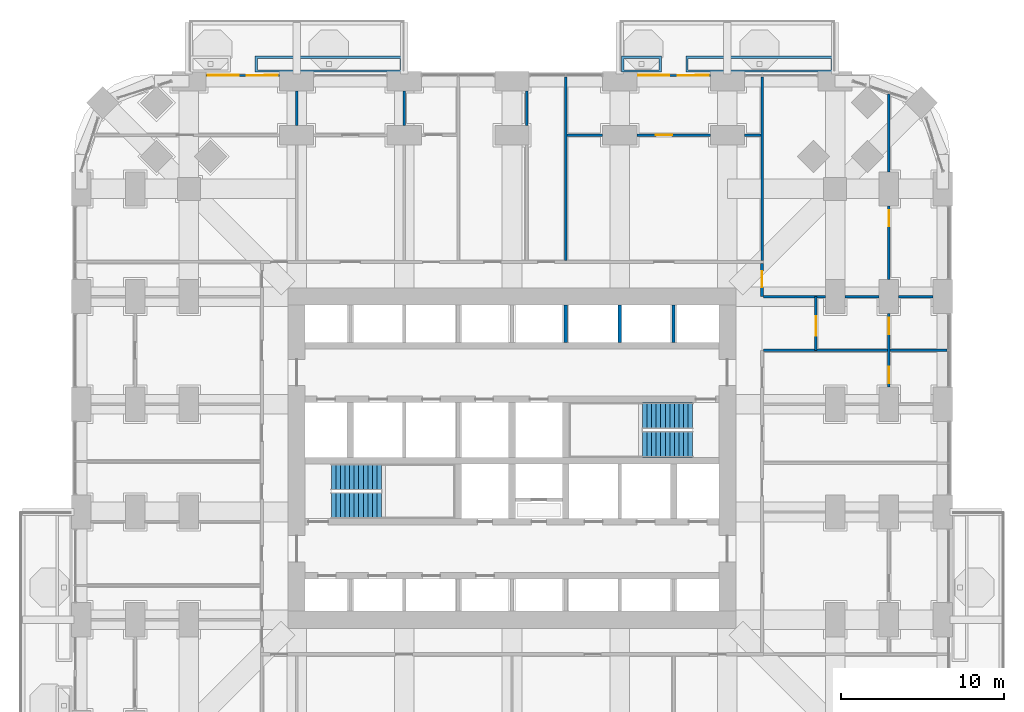
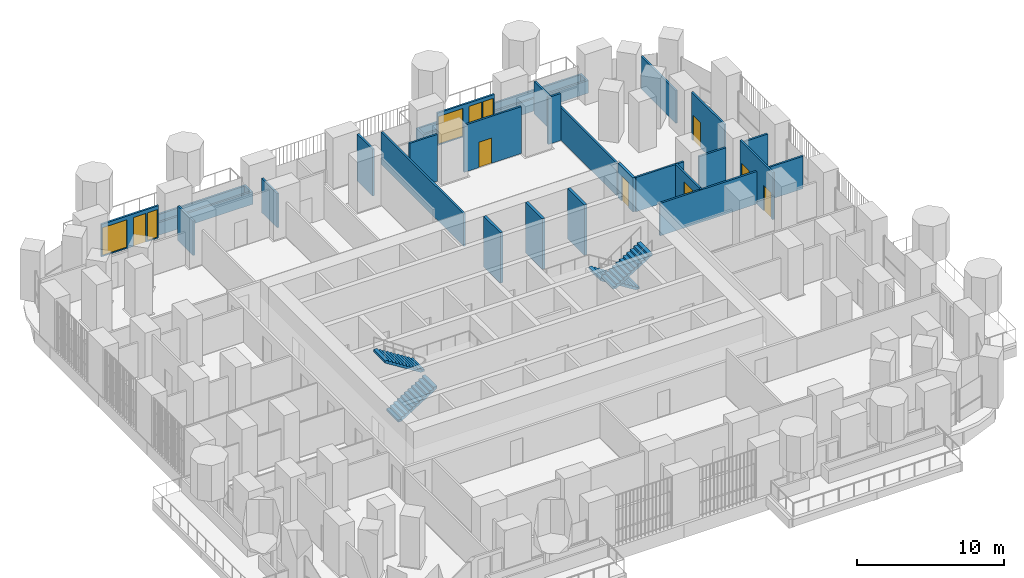
# One storey, part 22 of 27: 25 walls, 8 doors, 4 stair flights, 4 windows, 12 openings, 2 elements without a shape of their own.
"""IFC4 building model written with IfcOpenShell, lengths in metres."""

from ifc_helpers import new_model, si_unit, direction, frame, frame_2d, origin, place, context, subcontext, project, spatial, polyline, rectangle, outline, extrude, material, layer, layer_set, type_object, element, fill, aggregate, save


model = new_model("IFC4")

# Units and contexts
model_context = context("Model", 3, precision=1e-05, world=origin(), true_north=direction((0.0, 1.0)))
body_context = subcontext(model_context, "Body", "Model", "MODEL_VIEW")
ifc_project = project(units=[si_unit("LENGTHUNIT", "METRE"), si_unit("AREAUNIT", "SQUARE_METRE"), si_unit("VOLUMEUNIT", "CUBIC_METRE"), si_unit("PLANEANGLEUNIT", "RADIAN"), si_unit("MASSUNIT", "GRAM", prefix="KILO")], contexts=[model_context])

# Site, building, storey
site_placement = place(None, origin())
site = spatial("IfcSite", under=ifc_project, at=site_placement, CompositionType="ELEMENT")
building_placement = place(site_placement, origin())
building = spatial("IfcBuilding", under=site, at=building_placement, Name="Cobogo Forest Laboratory Tower", CompositionType="ELEMENT")
storey_placement = place(building_placement, frame((0.0, 0.0, 29.699951171875)))
storey = spatial("IfcBuildingStorey", under=building, at=storey_placement, Name="L06", CompositionType="ELEMENT", Elevation=29.699951171875)

# Wall, openings, door, windows
ifc_material_1 = material(Name="Aluminium framed glazed screen", Category="aluminium")
ifc_layer_1 = layer(ifc_material_1, 0.14990234375)
ifc_layer_set_1 = layer_set([ifc_layer_1], Name="GS1 glazed door screen 150")
wall_type_1 = type_object("IfcWallType", Name="GS1 glazed door screen 150", PredefinedType="SOLIDWALL", material=ifc_layer_set_1)
wall_1_placement = place(storey_placement, frame((38.550048828125, 46.550048828125, 0.0), z_axis=(0.0, 0.0, 1.0), x_axis=(-1.0, 0.0, 0.0)))
wall_1 = element("IfcWall", 1, at=wall_1_placement, inside=storey, type_object=wall_type_1, Name="Door screen BAL-N2 L06", PredefinedType="SOLIDWALL", context=body_context, shape_type="SweptSolid", body=[
    extrude(rectangle(XDim=4.5, YDim=0.14990234375, at=frame_2d((2.25, 0.0))), origin(), (0.0, 0.0, 1.0), 2.699951171875),
])
opening_1_placement = place(wall_1_placement, frame((1.0, 0.0, 0.0)))
opening_1 = element("IfcOpeningElement", 2, at=opening_1_placement, cuts=wall_1, Name="Opening L06-D51", PredefinedType="OPENING", context=body_context, shape_type="SweptSolid", body=[
    extrude(rectangle(XDim=1.0, YDim=2.39990234375, at=frame_2d((0.5, 1.199951171875))), frame((0.0, 0.0849609375, 0.0), z_axis=(0.0, -1.0, 0.0), x_axis=(1.0, 0.0, 0.0)), (0.0, 0.0, 1.0), 0.169921875),
])
opening_2_placement = place(wall_1_placement, frame((0.10009765625, 0.0, 0.10009765625)))
opening_2 = element("IfcOpeningElement", 3, at=opening_2_placement, cuts=wall_1, Name="Opening L06-W12", PredefinedType="OPENING", context=body_context, shape_type="SweptSolid", body=[
    extrude(rectangle(XDim=0.800048828125, YDim=2.300048828125, at=frame_2d((0.39990234375, 1.14990234375))), frame((0.0, 0.0849609375, 0.0), z_axis=(0.0, -1.0, 0.0), x_axis=(1.0, 0.0, 0.0)), (0.0, 0.0, 1.0), 0.169921875),
])
opening_3_placement = place(wall_1_placement, frame((2.5, 0.0, 0.10009765625)))
opening_3 = element("IfcOpeningElement", 4, at=opening_3_placement, cuts=wall_1, Name="Opening L06-W11", PredefinedType="OPENING", context=body_context, shape_type="SweptSolid", body=[
    extrude(rectangle(XDim=1.89990234375, YDim=2.300048828125, at=frame_2d((0.949951171875, 1.14990234375))), frame((0.0, 0.0849609375, 0.0), z_axis=(0.0, -1.0, 0.0), x_axis=(1.0, 0.0, 0.0)), (0.0, 0.0, 1.0), 0.169921875),
])
ifc_material_2 = material(Name="Aluminium glazed door", Category="aluminium")
door_type_1 = type_object("IfcDoorType", Name="DB1 balcony door 1000 glazed", OperationType="SINGLE_SWING_LEFT", PredefinedType="DOOR", material=ifc_material_2)
door_1_placement = place(opening_1_placement, origin())
door_1 = element("IfcDoor", 5, at=door_1_placement, inside=storey, type_object=door_type_1, Name="Door L06-BAL-N2", OperationType="SINGLE_SWING_LEFT", OverallHeight=2.39990234375, OverallWidth=1.0, PredefinedType="DOOR", context=body_context, shape_type="SweptSolid", body=[
    extrude(rectangle(XDim=1.0, YDim=2.39990234375, at=frame_2d((0.5, 1.199951171875))), frame((0.0, 0.02490234375, 0.0), z_axis=(0.0, -1.0, 0.0), x_axis=(1.0, 0.0, 0.0)), (0.0, 0.0, 1.0), 0.050048828125),
])
fill(opening_1, door_1)
ifc_material_3 = material(Name="Aluminium framed glazing", Category="aluminium")
window_type_1 = type_object("IfcWindowType", Name="WG3 fixed glazed light 1900x2300", PartitioningType="SINGLE_PANEL", PredefinedType="WINDOW", material=ifc_material_3)
window_1_placement = place(opening_3_placement, origin())
window_1 = element("IfcWindow", 6, at=window_1_placement, inside=storey, type_object=window_type_1, Name="Window L06-BAL-N2-2", OverallHeight=2.300048828125, OverallWidth=1.89990234375, PartitioningType="SINGLE_PANEL", PredefinedType="WINDOW", context=body_context, shape_type="SweptSolid", body=[
    extrude(rectangle(XDim=1.89990234375, YDim=2.300048828125, at=frame_2d((0.949951171875, 1.14990234375))), frame((0.0, 0.030029296875, 0.0), z_axis=(0.0, -1.0, 0.0), x_axis=(1.0, 0.0, 0.0)), (0.0, 0.0, 1.0), 0.06005859375),
])
fill(opening_3, window_1)
window_type_2 = type_object("IfcWindowType", Name="WG4 fixed glazed light 800x2300", PartitioningType="SINGLE_PANEL", PredefinedType="WINDOW", material=ifc_material_3)
window_2_placement = place(opening_2_placement, origin())
window_2 = element("IfcWindow", 7, at=window_2_placement, inside=storey, type_object=window_type_2, Name="Window L06-BAL-N2-1", OverallHeight=2.300048828125, OverallWidth=0.800048828125, PartitioningType="SINGLE_PANEL", PredefinedType="WINDOW", context=body_context, shape_type="SweptSolid", body=[
    extrude(rectangle(XDim=0.800048828125, YDim=2.300048828125, at=frame_2d((0.39990234375, 1.14990234375))), frame((0.0, 0.030029296875, 0.0), z_axis=(0.0, -1.0, 0.0), x_axis=(1.0, 0.0, 0.0)), (0.0, 0.0, 1.0), 0.06005859375),
])
fill(opening_2, window_2)

wall_2_placement = place(storey_placement, frame((12.14990234375, 46.550048828125, 0.0), z_axis=(0.0, 0.0, 1.0), x_axis=(-1.0, 0.0, 0.0)))
wall_2 = element("IfcWall", 8, at=wall_2_placement, inside=storey, type_object=wall_type_1, Name="Door screen BAL-N1 L06", PredefinedType="SOLIDWALL", context=body_context, shape_type="SweptSolid", body=[
    extrude(rectangle(XDim=4.5, YDim=0.14990234375, at=frame_2d((2.25, 0.0))), origin(), (0.0, 0.0, 1.0), 2.699951171875),
])
opening_4_placement = place(wall_2_placement, frame((1.0, 0.0, 0.0)))
opening_4 = element("IfcOpeningElement", 9, at=opening_4_placement, cuts=wall_2, Name="Opening L06-D50", PredefinedType="OPENING", context=body_context, shape_type="SweptSolid", body=[
    extrude(rectangle(XDim=1.0, YDim=2.39990234375, at=frame_2d((0.5, 1.199951171875))), frame((0.0, 0.0849609375, 0.0), z_axis=(0.0, -1.0, 0.0), x_axis=(1.0, 0.0, 0.0)), (0.0, 0.0, 1.0), 0.169921875),
])
opening_5_placement = place(wall_2_placement, frame((0.10009765625, 0.0, 0.10009765625)))
opening_5 = element("IfcOpeningElement", 10, at=opening_5_placement, cuts=wall_2, Name="Opening L06-W10", PredefinedType="OPENING", context=body_context, shape_type="SweptSolid", body=[
    extrude(rectangle(XDim=0.800048828125, YDim=2.300048828125, at=frame_2d((0.39990234375, 1.14990234375))), frame((0.0, 0.0849609375, 0.0), z_axis=(0.0, -1.0, 0.0), x_axis=(1.0, 0.0, 0.0)), (0.0, 0.0, 1.0), 0.169921875),
])
opening_6_placement = place(wall_2_placement, frame((2.5, 0.0, 0.10009765625)))
opening_6 = element("IfcOpeningElement", 11, at=opening_6_placement, cuts=wall_2, Name="Opening L06-W09", PredefinedType="OPENING", context=body_context, shape_type="SweptSolid", body=[
    extrude(rectangle(XDim=1.89990234375, YDim=2.300048828125, at=frame_2d((0.949951171875, 1.14990234375))), frame((0.0, 0.0849609375, 0.0), z_axis=(0.0, -1.0, 0.0), x_axis=(1.0, 0.0, 0.0)), (0.0, 0.0, 1.0), 0.169921875),
])
door_2_placement = place(opening_4_placement, origin())
door_2 = element("IfcDoor", 12, at=door_2_placement, inside=storey, type_object=door_type_1, Name="Door L06-BAL-N1", OperationType="SINGLE_SWING_LEFT", OverallHeight=2.39990234375, OverallWidth=1.0, PredefinedType="DOOR", context=body_context, shape_type="SweptSolid", body=[
    extrude(rectangle(XDim=1.0, YDim=2.39990234375, at=frame_2d((0.5, 1.199951171875))), frame((0.0, 0.02490234375, 0.0), z_axis=(0.0, -1.0, 0.0), x_axis=(1.0, 0.0, 0.0)), (0.0, 0.0, 1.0), 0.050048828125),
])
fill(opening_4, door_2)
window_3_placement = place(opening_6_placement, origin())
window_3 = element("IfcWindow", 13, at=window_3_placement, inside=storey, type_object=window_type_1, Name="Window L06-BAL-N1-2", OverallHeight=2.300048828125, OverallWidth=1.89990234375, PartitioningType="SINGLE_PANEL", PredefinedType="WINDOW", context=body_context, shape_type="SweptSolid", body=[
    extrude(rectangle(XDim=1.89990234375, YDim=2.300048828125, at=frame_2d((0.949951171875, 1.14990234375))), frame((0.0, 0.030029296875, 0.0), z_axis=(0.0, -1.0, 0.0), x_axis=(1.0, 0.0, 0.0)), (0.0, 0.0, 1.0), 0.06005859375),
])
fill(opening_6, window_3)
window_4_placement = place(opening_5_placement, origin())
window_4 = element("IfcWindow", 14, at=window_4_placement, inside=storey, type_object=window_type_2, Name="Window L06-BAL-N1-1", OverallHeight=2.300048828125, OverallWidth=0.800048828125, PartitioningType="SINGLE_PANEL", PredefinedType="WINDOW", context=body_context, shape_type="SweptSolid", body=[
    extrude(rectangle(XDim=0.800048828125, YDim=2.300048828125, at=frame_2d((0.39990234375, 1.14990234375))), frame((0.0, 0.030029296875, 0.0), z_axis=(0.0, -1.0, 0.0), x_axis=(1.0, 0.0, 0.0)), (0.0, 0.0, 1.0), 0.06005859375),
])
fill(opening_5, window_4)

# Wall
ifc_material_4 = material(Name="Gypsum board on steel studs", Category="steel")
ifc_layer_2 = layer(ifc_material_4, 0.14990234375)
ifc_layer_set_2 = layer_set([ifc_layer_2], Name="PT1 laboratory partition 150")
wall_type_2 = type_object("IfcWallType", Name="PT1 laboratory partition 150", PredefinedType="PARTITIONING", material=ifc_layer_set_2)
wall_3_placement = place(storey_placement, frame((41.72509765625, 46.469970703125, 0.0), z_axis=(0.0, 0.0, 1.0), x_axis=(0.0, -1.0, 0.0)))
element("IfcWall", 15, at=wall_3_placement, inside=storey, type_object=wall_type_2, Name="Partition PW-NE L06", PredefinedType="PARTITIONING", context=body_context, shape_type="SweptSolid", body=[
    extrude(rectangle(XDim=11.244873046875, YDim=0.14990234375, at=frame_2d((5.62255859375, 0.0))), origin(), (0.0, 0.0, 1.0), 2.699951171875),
])

# Wall, openings, doors
wall_4_placement = place(storey_placement, frame((49.5, 27.449951171875, 0.0), z_axis=(0.0, 0.0, 1.0), x_axis=(0.0, 1.0, 0.0)))
wall_4 = element("IfcWall", 16, at=wall_4_placement, inside=storey, type_object=wall_type_2, Name="Partition STRIP-E-3 L06", PredefinedType="PARTITIONING", context=body_context, shape_type="SweptSolid", body=[
    extrude(rectangle(XDim=4.5, YDim=0.14990234375, at=frame_2d((2.25, 0.0))), origin(), (0.0, 0.0, 1.0), 3.900146484375),
])
opening_7_placement = place(wall_4_placement, frame((0.25, 0.0, 0.0)))
opening_7 = element("IfcOpeningElement", 17, at=opening_7_placement, cuts=wall_4, Name="Opening L06-D30", PredefinedType="OPENING", context=body_context, shape_type="SweptSolid", body=[
    extrude(rectangle(XDim=1.0, YDim=2.10009765625, at=frame_2d((0.5, 1.050048828125))), frame((0.0, 0.0849609375, 0.0), z_axis=(0.0, -1.0, 0.0), x_axis=(1.0, 0.0, 0.0)), (0.0, 0.0, 1.0), 0.169921875),
])
opening_8_placement = place(wall_4_placement, frame((3.25, 0.0, 0.0)))
opening_8 = element("IfcOpeningElement", 18, at=opening_8_placement, cuts=wall_4, Name="Opening L06-D36", PredefinedType="OPENING", context=body_context, shape_type="SweptSolid", body=[
    extrude(rectangle(XDim=1.0, YDim=2.10009765625, at=frame_2d((0.5, 1.050048828125))), frame((0.0, 0.0849609375, 0.0), z_axis=(0.0, -1.0, 0.0), x_axis=(1.0, 0.0, 0.0)), (0.0, 0.0, 1.0), 0.169921875),
])
ifc_material_5 = material(Name="Timber fire door", Category="wood")
door_type_2 = type_object("IfcDoorType", Name="FD2 fire door 1000 EI2 30", OperationType="SINGLE_SWING_LEFT", PredefinedType="DOOR", material=ifc_material_5)
door_3_placement = place(opening_7_placement, origin())
door_3 = element("IfcDoor", 19, at=door_3_placement, inside=storey, type_object=door_type_2, Name="Door L06-E2W", OperationType="SINGLE_SWING_LEFT", OverallHeight=2.10009765625, OverallWidth=1.0, PredefinedType="DOOR", context=body_context, shape_type="SweptSolid", body=[
    extrude(rectangle(XDim=1.0, YDim=2.10009765625, at=frame_2d((0.5, 1.050048828125))), frame((0.0, 0.02490234375, 0.0), z_axis=(0.0, -1.0, 0.0), x_axis=(1.0, 0.0, 0.0)), (0.0, 0.0, 1.0), 0.050048828125),
])
fill(opening_7, door_3)
door_4_placement = place(opening_8_placement, origin())
door_4 = element("IfcDoor", 20, at=door_4_placement, inside=storey, type_object=door_type_2, Name="Door L06-E3W", OperationType="SINGLE_SWING_RIGHT", OverallHeight=2.10009765625, OverallWidth=1.0, PredefinedType="DOOR", context=body_context, shape_type="SweptSolid", body=[
    extrude(rectangle(XDim=1.0, YDim=2.10009765625, at=frame_2d((0.5, 1.050048828125))), frame((0.0, 0.02490234375, 0.0), z_axis=(0.0, -1.0, 0.0), x_axis=(1.0, 0.0, 0.0)), (0.0, 0.0, 1.0), 0.050048828125),
])
fill(opening_8, door_4)

# Wall, opening, door
wall_5_placement = place(storey_placement, frame((49.5, 34.050048828125, 0.0), z_axis=(0.0, 0.0, 1.0), x_axis=(0.0, 1.0, 0.0)))
wall_5 = element("IfcWall", 21, at=wall_5_placement, inside=storey, type_object=wall_type_2, Name="Partition STRIP-E-4 L06", PredefinedType="PARTITIONING", context=body_context, shape_type="SweptSolid", body=[
    extrude(rectangle(XDim=4.5, YDim=0.14990234375, at=frame_2d((2.25, 0.0))), origin(), (0.0, 0.0, 1.0), 3.900146484375),
])
opening_9_placement = place(wall_5_placement, frame((3.25, 0.0, 0.0)))
opening_9 = element("IfcOpeningElement", 22, at=opening_9_placement, cuts=wall_5, Name="Opening L06-D45", PredefinedType="OPENING", context=body_context, shape_type="SweptSolid", body=[
    extrude(rectangle(XDim=1.0, YDim=2.10009765625, at=frame_2d((0.5, 1.050048828125))), frame((0.0, 0.0849609375, 0.0), z_axis=(0.0, -1.0, 0.0), x_axis=(1.0, 0.0, 0.0)), (0.0, 0.0, 1.0), 0.169921875),
])
door_5_placement = place(opening_9_placement, origin())
door_5 = element("IfcDoor", 23, at=door_5_placement, inside=storey, type_object=door_type_2, Name="Door L06-E4W", OperationType="SINGLE_SWING_RIGHT", OverallHeight=2.10009765625, OverallWidth=1.0, PredefinedType="DOOR", context=body_context, shape_type="SweptSolid", body=[
    extrude(rectangle(XDim=1.0, YDim=2.10009765625, at=frame_2d((0.5, 1.050048828125))), frame((0.0, 0.02490234375, 0.0), z_axis=(0.0, -1.0, 0.0), x_axis=(1.0, 0.0, 0.0)), (0.0, 0.0, 1.0), 0.050048828125),
])
fill(opening_9, door_5)

# Wall
wall_6_placement = place(storey_placement, frame((49.5, 40.64990234375, 0.0), z_axis=(0.0, 0.0, 1.0), x_axis=(0.0, 1.0, 0.0)))
element("IfcWall", 24, at=wall_6_placement, inside=storey, type_object=wall_type_2, Name="Partition STRIP-E-5 L06", PredefinedType="PARTITIONING", context=body_context, shape_type="SweptSolid", body=[
    extrude(rectangle(XDim=4.774169921875, YDim=0.14990234375, at=frame_2d((2.38720703125, 0.0))), origin(), (0.0, 0.0, 1.0), 2.699951171875),
])

# Wall, opening, door
wall_7_placement = place(storey_placement, frame((45.02490234375, 29.699951171875, 0.0), z_axis=(0.0, 0.0, 1.0), x_axis=(0.0, 1.0, 0.0)))
wall_7 = element("IfcWall", 25, at=wall_7_placement, inside=storey, type_object=wall_type_2, Name="Partition NODE-E-1 L06", PredefinedType="PARTITIONING", context=body_context, shape_type="SweptSolid", body=[
    extrude(rectangle(XDim=3.300048828125, YDim=0.14990234375, at=frame_2d((1.64990234375, 0.0))), origin(), (0.0, 0.0, 1.0), 2.85009765625),
])
opening_10_placement = place(wall_7_placement, frame((0.89990234375, 0.0, 0.0)))
opening_10 = element("IfcOpeningElement", 26, at=opening_10_placement, cuts=wall_7, Name="Opening L06-D35", PredefinedType="OPENING", context=body_context, shape_type="SweptSolid", body=[
    extrude(rectangle(XDim=1.199951171875, YDim=2.10009765625, at=frame_2d((0.60009765625, 1.050048828125))), frame((0.0, 0.0849609375, 0.0), z_axis=(0.0, -1.0, 0.0), x_axis=(1.0, 0.0, 0.0)), (0.0, 0.0, 1.0), 0.169921875),
])
ifc_material_6 = material(Name="Timber door", Category="wood")
door_type_3 = type_object("IfcDoorType", Name="D2 laboratory door 1200 unequal pair", OperationType="DOUBLE_DOOR_SINGLE_SWING", PredefinedType="DOOR", material=ifc_material_6)
door_6_placement = place(opening_10_placement, origin())
door_6 = element("IfcDoor", 27, at=door_6_placement, inside=storey, type_object=door_type_3, Name="Door L06-E3", OperationType="DOUBLE_DOOR_SINGLE_SWING", OverallHeight=2.10009765625, OverallWidth=1.199951171875, PredefinedType="DOOR", context=body_context, shape_type="SweptSolid", body=[
    extrude(rectangle(XDim=1.199951171875, YDim=2.10009765625, at=frame_2d((0.60009765625, 1.050048828125))), frame((0.0, 0.02490234375, 0.0), z_axis=(0.0, -1.0, 0.0), x_axis=(1.0, 0.0, 0.0)), (0.0, 0.0, 1.0), 0.050048828125),
])
fill(opening_10, door_6)

# Walls
wall_8_placement = place(storey_placement, frame((53.070068359375, 29.699951171875, 0.0), z_axis=(0.0, 0.0, 1.0), x_axis=(-1.0, 0.0, 0.0)))
element("IfcWall", 28, at=wall_8_placement, inside=storey, type_object=wall_type_2, Name="Partition CUT-E29.7-1 L06", PredefinedType="PARTITIONING", context=body_context, shape_type="SweptSolid", body=[
    extrude(rectangle(XDim=11.2451171875, YDim=0.14990234375, at=frame_2d((5.62255859375, 0.0))), origin(), (0.0, 0.0, 1.0), 2.699951171875),
])
for number, where, z_axis, x_axis, name in (
    (29, (52.199951171875, 33.0, 0.0), (0.0, 0.0, 1.0), (-1.0, 0.0, 0.0), "Partition CUT-E33a-1 L06"),
    (30, (48.89990234375, 33.0, 0.0), (0.0, 0.0, 1.0), (-1.0, 0.0, 0.0), "Partition CUT-E33b-1 L06"),
):
    element("IfcWall", number, at=place(storey_placement, frame(where, z_axis=z_axis, x_axis=x_axis)), inside=storey, type_object=wall_type_2, Name=name, PredefinedType="PARTITIONING", context=body_context, shape_type="SweptSolid", body=[
        extrude(rectangle(XDim=2.099853515625, YDim=0.14990234375, at=frame_2d((1.0498046875, 0.0))), origin(), (0.0, 0.0, 1.0), 2.85009765625),
    ])
wall_9_placement = place(storey_placement, frame((45.60009765625, 33.0, 0.0), z_axis=(0.0, 0.0, 1.0), x_axis=(-1.0, 0.0, 0.0)))
element("IfcWall", 31, at=wall_9_placement, inside=storey, type_object=wall_type_2, Name="Partition CUT-E33b-2 L06", PredefinedType="PARTITIONING", context=body_context, shape_type="SweptSolid", body=[
    extrude(rectangle(XDim=3.775146484375, YDim=0.14990234375, at=frame_2d((1.8876953125, 0.0))), origin(), (0.0, 0.0, 1.0), 2.85009765625),
])
wall_10_placement = place(storey_placement, frame((41.64990234375, 42.89990234375, 0.0), z_axis=(0.0, 0.0, 1.0), x_axis=(-1.0, 0.0, 0.0)))
element("IfcWall", 32, at=wall_10_placement, inside=storey, type_object=wall_type_2, Name="Partition STRIP-N-1 L06", PredefinedType="PARTITIONING", context=body_context, shape_type="SweptSolid", body=[
    extrude(rectangle(XDim=1.0, YDim=0.14990234375, at=frame_2d((0.5, 0.0))), origin(), (0.0, 0.0, 1.0), 3.900146484375),
])

# Wall, opening, door
wall_11_placement = place(storey_placement, frame((38.550048828125, 42.89990234375, 0.0), z_axis=(0.0, 0.0, 1.0), x_axis=(-1.0, 0.0, 0.0)))
wall_11 = element("IfcWall", 33, at=wall_11_placement, inside=storey, type_object=wall_type_2, Name="Partition STRIP-N-2 L06", PredefinedType="PARTITIONING", context=body_context, shape_type="SweptSolid", body=[
    extrude(rectangle(XDim=4.5, YDim=0.14990234375, at=frame_2d((2.25, 0.0))), origin(), (0.0, 0.0, 1.0), 3.900146484375),
])
opening_11_placement = place(wall_11_placement, frame((2.33740234375, 0.0, 0.0)))
opening_11 = element("IfcOpeningElement", 34, at=opening_11_placement, cuts=wall_11, Name="Opening L06-D49", PredefinedType="OPENING", context=body_context, shape_type="SweptSolid", body=[
    extrude(rectangle(XDim=1.0, YDim=2.10009765625, at=frame_2d((0.5, 1.050048828125))), frame((0.0, 0.0849609375, 0.0), z_axis=(0.0, -1.0, 0.0), x_axis=(1.0, 0.0, 0.0)), (0.0, 0.0, 1.0), 0.169921875),
])
door_7_placement = place(opening_11_placement, origin())
door_7 = element("IfcDoor", 35, at=door_7_placement, inside=storey, type_object=door_type_2, Name="Door L06-N5W", OperationType="SINGLE_SWING_RIGHT", OverallHeight=2.10009765625, OverallWidth=1.0, PredefinedType="DOOR", context=body_context, shape_type="SweptSolid", body=[
    extrude(rectangle(XDim=1.0, YDim=2.10009765625, at=frame_2d((0.5, 1.050048828125))), frame((0.0, 0.02490234375, 0.0), z_axis=(0.0, -1.0, 0.0), x_axis=(1.0, 0.0, 0.0)), (0.0, 0.0, 1.0), 0.050048828125),
])
fill(opening_11, door_7)

# Walls
wall_12_placement = place(storey_placement, frame((31.949951171875, 42.89990234375, 0.0), z_axis=(0.0, 0.0, 1.0), x_axis=(-1.0, 0.0, 0.0)))
element("IfcWall", 36, at=wall_12_placement, inside=storey, type_object=wall_type_2, Name="Partition STRIP-N-3 L06", PredefinedType="PARTITIONING", context=body_context, shape_type="SweptSolid", body=[
    extrude(rectangle(XDim=2.175048828125, YDim=0.14990234375, at=frame_2d((1.08740234375, 0.0))), origin(), (0.0, 0.0, 1.0), 3.900146484375),
])
wall_13_placement = place(storey_placement, frame((27.300048828125, 45.60009765625, 0.0), z_axis=(0.0, 0.0, 1.0), x_axis=(0.0, -1.0, 0.0)))
element("IfcWall", 37, at=wall_13_placement, inside=storey, type_object=wall_type_2, Name="Partition SVC-N1-1 L06", PredefinedType="PARTITIONING", context=body_context, shape_type="SweptSolid", body=[
    extrude(rectangle(XDim=2.10009765625, YDim=0.14990234375, at=frame_2d((1.050048828125, 0.0))), origin(), (0.0, 0.0, 1.0), 3.900146484375),
])
for number, where, z_axis, x_axis, name in (
    (38, (13.199951171875, 45.60009765625, 0.0), (0.0, 0.0, 1.0), (0.0, -1.0, 0.0), "Partition CUT-N13.2a-1 L06"),
    (39, (19.800048828125, 45.60009765625, 0.0), (0.0, 0.0, 1.0), (0.0, -1.0, 0.0), "Partition CUT-N19.8a-1 L06"),
):
    element("IfcWall", number, at=place(storey_placement, frame(where, z_axis=z_axis, x_axis=x_axis)), inside=storey, type_object=wall_type_2, Name=name, PredefinedType="PARTITIONING", context=body_context, shape_type="SweptSolid", body=[
        extrude(rectangle(XDim=2.10009765625, YDim=0.14990234375, at=frame_2d((1.050048828125, 0.0))), origin(), (0.0, 0.0, 1.0), 2.85009765625),
    ])
wall_14_placement = place(storey_placement, frame((29.699951171875, 46.469970703125, 0.0), z_axis=(0.0, 0.0, 1.0), x_axis=(0.0, -1.0, 0.0)))
element("IfcWall", 40, at=wall_14_placement, inside=storey, type_object=wall_type_2, Name="Partition CUT-N29.7-1 L06", PredefinedType="PARTITIONING", context=body_context, shape_type="SweptSolid", body=[
    extrude(rectangle(XDim=11.244873046875, YDim=0.14990234375, at=frame_2d((5.62255859375, 0.0))), origin(), (0.0, 0.0, 1.0), 2.699951171875),
])

# Wall, opening, door
ifc_layer_3 = layer(ifc_material_4, 0.199951171875)
ifc_layer_set_3 = layer_set([ifc_layer_3], Name="PT2 fire-rated corridor partition 200")
wall_type_3 = type_object("IfcWallType", Name="PT2 fire-rated corridor partition 200", PredefinedType="PARTITIONING", material=ifc_layer_set_3)
wall_15_placement = place(storey_placement, frame((41.72509765625, 33.0, 0.0), z_axis=(0.0, 0.0, 1.0), x_axis=(0.0, 1.0, 0.0)))
wall_15 = element("IfcWall", 41, at=wall_15_placement, inside=storey, type_object=wall_type_3, Name="Partition CORR-E-2 L06", PredefinedType="PARTITIONING", context=body_context, shape_type="SweptSolid", body=[
    extrude(rectangle(XDim=2.02490234375, YDim=0.199951171875, at=frame_2d((1.012451171875, 0.0))), origin(), (0.0, 0.0, 1.0), 2.85009765625),
])
opening_12_placement = place(wall_15_placement, frame((0.5625, 0.0, 0.0)))
opening_12 = element("IfcOpeningElement", 42, at=opening_12_placement, cuts=wall_15, Name="Opening L06-D38", PredefinedType="OPENING", context=body_context, shape_type="SweptSolid", body=[
    extrude(rectangle(XDim=1.0, YDim=2.10009765625, at=frame_2d((0.5, 1.050048828125))), frame((0.0, 0.10986328125, 0.0), z_axis=(0.0, -1.0, 0.0), x_axis=(1.0, 0.0, 0.0)), (0.0, 0.0, 1.0), 0.219970703125),
])
ifc_material_7 = material(Name="Steel fire door", Category="steel")
door_type_4 = type_object("IfcDoorType", Name="FD1 fire door 1000 EI2 60", OperationType="SINGLE_SWING_LEFT", PredefinedType="DOOR", material=ifc_material_7)
door_8_placement = place(opening_12_placement, origin())
door_8 = element("IfcDoor", 43, at=door_8_placement, inside=storey, type_object=door_type_4, Name="Door L06-E4", OperationType="SINGLE_SWING_RIGHT", OverallHeight=2.10009765625, OverallWidth=1.0, PredefinedType="DOOR", context=body_context, shape_type="SweptSolid", body=[
    extrude(rectangle(XDim=1.0, YDim=2.10009765625, at=frame_2d((0.5, 1.050048828125))), frame((0.0, 0.02490234375, 0.0), z_axis=(0.0, -1.0, 0.0), x_axis=(1.0, 0.0, 0.0)), (0.0, 0.0, 1.0), 0.050048828125),
])
fill(opening_12, door_8)

# Walls
ifc_material_8 = material(Name="Concrete HA-40 (C40/50)", Category="concrete")
ifc_layer_4 = layer(ifc_material_8, 0.14990234375)
ifc_layer_set_4 = layer_set([ifc_layer_4], Name="Planter box 1000x1050")
wall_type_4 = type_object("IfcWallType", Name="Planter box 1000x1050", PredefinedType="USERDEFINED", material=ifc_layer_set_4)
wall_16_placement = place(storey_placement, origin())
element("IfcWall", 44, at=wall_16_placement, inside=storey, type_object=wall_type_4, Name="Planter BAL-N1-2 L06", ObjectType="PLANTER", PredefinedType="USERDEFINED", context=body_context, shape_type="SweptSolid", body=[
    extrude(outline(polyline([(10.64990234375, 46.75), (19.699951171875, 46.75), (19.699951171875, 47.75), (10.64990234375, 47.75), (10.64990234375, 46.75)]), holes=[polyline([(10.800048828125, 46.89990234375), (19.550048828125, 46.89990234375), (19.550048828125, 47.60009765625), (10.800048828125, 47.60009765625), (10.800048828125, 46.89990234375)])]), origin(), (0.0, 0.0, 1.0), 1.050048828125),
])
wall_17_placement = place(storey_placement, origin())
element("IfcWall", 45, at=wall_17_placement, inside=storey, type_object=wall_type_4, Name="Planter BAL-N2-1 L06", ObjectType="PLANTER", PredefinedType="USERDEFINED", context=body_context, shape_type="SweptSolid", body=[
    extrude(outline(polyline([(33.10009765625, 46.75), (35.550048828125, 46.75), (35.550048828125, 47.75), (33.10009765625, 47.75), (33.10009765625, 46.75)]), holes=[polyline([(33.25, 46.89990234375), (35.39990234375, 46.89990234375), (35.39990234375, 47.60009765625), (33.25, 47.60009765625), (33.25, 46.89990234375)])]), origin(), (0.0, 0.0, 1.0), 1.050048828125),
])
wall_18_placement = place(storey_placement, origin())
element("IfcWall", 46, at=wall_18_placement, inside=storey, type_object=wall_type_4, Name="Planter BAL-N2-2 L06", ObjectType="PLANTER", PredefinedType="USERDEFINED", context=body_context, shape_type="SweptSolid", body=[
    extrude(outline(polyline([(37.050048828125, 46.75), (46.10009765625, 46.75), (46.10009765625, 47.75), (37.050048828125, 47.75), (37.050048828125, 46.75)]), holes=[polyline([(37.199951171875, 46.89990234375), (45.949951171875, 46.89990234375), (45.949951171875, 47.60009765625), (37.199951171875, 47.60009765625), (37.199951171875, 46.89990234375)])]), origin(), (0.0, 0.0, 1.0), 1.050048828125),
])
ifc_material_9 = material(Name="Concrete block", Category="concrete")
ifc_layer_5 = layer(ifc_material_9, 0.199951171875)
ifc_layer_set_5 = layer_set([ifc_layer_5], Name="SW200 lift shaft separator 200")
wall_type_5 = type_object("IfcWallType", Name="SW200 lift shaft separator 200", PredefinedType="PARTITIONING", material=ifc_layer_set_5)
for number, where, z_axis, x_axis, name in (
    (47, (29.699951171875, 30.199951171875, 0.0), (0.0, 0.0, 1.0), (0.0, 1.0, 0.0), "Core wall SEP-N5 L06"),
    (48, (33.0, 30.199951171875, 0.0), (0.0, 0.0, 1.0), (0.0, 1.0, 0.0), "Core wall SEP-N6 L06"),
    (49, (36.300048828125, 30.199951171875, 0.0), (0.0, 0.0, 1.0), (0.0, 1.0, 0.0), "Core wall SEP-N7 L06"),
):
    element("IfcWall", number, at=place(storey_placement, frame(where, z_axis=z_axis, x_axis=x_axis)), inside=storey, type_object=wall_type_5, Name=name, PredefinedType="PARTITIONING", context=body_context, shape_type="SweptSolid", body=[
        extrude(rectangle(XDim=2.275146484375, YDim=0.199951171875, at=frame_2d((1.1376953125, 0.0))), origin(), (0.0, 0.0, 1.0), 4.199951171875),
    ])

# Stair, stair flights
ifc_material_10 = material(Name="Precast concrete HA-40 (C40/50)", Category="concrete")
stair_type = type_object("IfcStairType", Name="ST24 exit stair 24 risers", PredefinedType="HALF_TURN_STAIR", material=ifc_material_10)
stair_1_placement = place(storey_placement, origin())
stair_1 = element("IfcStair", 50, at=stair_1_placement, inside=storey, type_object=stair_type, Name="Stair 1 L06 to L07", PredefinedType="HALF_TURN_STAIR")
stair_flight_type = type_object("IfcStairFlightType", Name="ST stair flight 280 going", PredefinedType="STRAIGHT", material=ifc_material_10)
stair_flight_1_placement = place(storey_placement, frame((15.324951171875, 20.199951171875, 0.0), z_axis=(0.0, 0.0, 1.0), x_axis=(1.0, 0.0, 0.0)))
stair_flight_1 = element("IfcStairFlight", 51, at=stair_flight_1_placement, type_object=stair_flight_type, Name="ST1 flight 1", NumberOfRisers=12, NumberOfTreads=11, PredefinedType="STRAIGHT", RiserHeight=0.175, TreadLength=0.28, context=body_context, shape_type="SweptSolid", body=[
    extrude(outline(polyline([(0.0, 0.0), (0.0, 0.175048828125), (0.280029296875, 0.175048828125), (0.280029296875, 0.35009765625), (0.56005859375, 0.35009765625), (0.56005859375, 0.52490234375), (0.840087890625, 0.52490234375), (0.840087890625, 0.699951171875), (1.1201171875, 0.699951171875), (1.1201171875, 0.875), (1.39990234375, 0.875), (1.39990234375, 1.050048828125), (1.679931640625, 1.050048828125), (1.679931640625, 1.22509765625), (1.9599609375, 1.22509765625), (1.9599609375, 1.39990234375), (2.239990234375, 1.39990234375), (2.239990234375, 1.574951171875), (2.52001953125, 1.574951171875), (2.52001953125, 1.75), (2.800048828125, 1.75), (2.800048828125, 1.925048828125), (3.080078125, 1.925048828125), (3.080078125, 2.10009765625), (3.080078125, 1.748291015625), (0.28271484375, 0.0), (0.0, 0.0)])), frame((0.0, 0.800048828125, 0.0), z_axis=(0.0, -1.0, 0.0), x_axis=(1.0, 0.0, 0.0)), (0.0, 0.0, 1.0), 1.60009765625),
])
stair_flight_2_placement = place(storey_placement, frame((18.405029296875, 21.949951171875, 2.10009765625), z_axis=(0.0, 0.0, 1.0), x_axis=(-1.0, 0.0, 0.0)))
stair_flight_2 = element("IfcStairFlight", 52, at=stair_flight_2_placement, type_object=stair_flight_type, Name="ST1 flight 2", NumberOfRisers=12, NumberOfTreads=11, PredefinedType="STRAIGHT", RiserHeight=0.175, TreadLength=0.28, context=body_context, shape_type="SweptSolid", body=[
    extrude(outline(polyline([(0.0, 0.0), (0.0, 0.175048828125), (0.280029296875, 0.175048828125), (0.280029296875, 0.35009765625), (0.56005859375, 0.35009765625), (0.56005859375, 0.52490234375), (0.840087890625, 0.52490234375), (0.840087890625, 0.699951171875), (1.1201171875, 0.699951171875), (1.1201171875, 0.875), (1.39990234375, 0.875), (1.39990234375, 1.050048828125), (1.679931640625, 1.050048828125), (1.679931640625, 1.22509765625), (1.9599609375, 1.22509765625), (1.9599609375, 1.39990234375), (2.239990234375, 1.39990234375), (2.239990234375, 1.574951171875), (2.52001953125, 1.574951171875), (2.52001953125, 1.75), (2.800048828125, 1.75), (2.800048828125, 1.925048828125), (3.080078125, 1.925048828125), (3.080078125, 2.10009765625), (3.080078125, 1.748291015625), (0.28271484375, 0.0), (0.0, 0.0)])), frame((0.0, 0.800048828125, 0.0), z_axis=(0.0, -1.0, 0.0), x_axis=(1.0, 0.0, 0.0)), (0.0, 0.0, 1.0), 1.60009765625),
])
aggregate(stair_1, [stair_flight_1, stair_flight_2])

stair_2_placement = place(storey_placement, origin())
stair_2 = element("IfcStair", 53, at=stair_2_placement, inside=storey, type_object=stair_type, Name="Stair 2 L06 to L07", PredefinedType="HALF_TURN_STAIR")
stair_flight_3_placement = place(storey_placement, frame((37.47509765625, 25.699951171875, 0.0), z_axis=(0.0, 0.0, 1.0), x_axis=(-1.0, 0.0, 0.0)))
stair_flight_3 = element("IfcStairFlight", 54, at=stair_flight_3_placement, type_object=stair_flight_type, Name="ST2 flight 1", NumberOfRisers=12, NumberOfTreads=11, PredefinedType="STRAIGHT", RiserHeight=0.175, TreadLength=0.28, context=body_context, shape_type="SweptSolid", body=[
    extrude(outline(polyline([(0.0, 0.0), (0.0, 0.175048828125), (0.280029296875, 0.175048828125), (0.280029296875, 0.35009765625), (0.56005859375, 0.35009765625), (0.56005859375, 0.52490234375), (0.840087890625, 0.52490234375), (0.840087890625, 0.699951171875), (1.1201171875, 0.699951171875), (1.1201171875, 0.875), (1.39990234375, 0.875), (1.39990234375, 1.050048828125), (1.679931640625, 1.050048828125), (1.679931640625, 1.22509765625), (1.9599609375, 1.22509765625), (1.9599609375, 1.39990234375), (2.239990234375, 1.39990234375), (2.239990234375, 1.574951171875), (2.52001953125, 1.574951171875), (2.52001953125, 1.75), (2.800048828125, 1.75), (2.800048828125, 1.925048828125), (3.080078125, 1.925048828125), (3.080078125, 2.10009765625), (3.080078125, 1.748291015625), (0.28271484375, 0.0), (0.0, 0.0)])), frame((0.0, 0.800048828125, 0.0), z_axis=(0.0, -1.0, 0.0), x_axis=(1.0, 0.0, 0.0)), (0.0, 0.0, 1.0), 1.60009765625),
])
stair_flight_4_placement = place(storey_placement, frame((34.39501953125, 23.949951171875, 2.10009765625), z_axis=(0.0, 0.0, 1.0), x_axis=(1.0, 0.0, 0.0)))
stair_flight_4 = element("IfcStairFlight", 55, at=stair_flight_4_placement, type_object=stair_flight_type, Name="ST2 flight 2", NumberOfRisers=12, NumberOfTreads=11, PredefinedType="STRAIGHT", RiserHeight=0.175, TreadLength=0.28, context=body_context, shape_type="SweptSolid", body=[
    extrude(outline(polyline([(0.0, 0.0), (0.0, 0.175048828125), (0.280029296875, 0.175048828125), (0.280029296875, 0.35009765625), (0.56005859375, 0.35009765625), (0.56005859375, 0.52490234375), (0.840087890625, 0.52490234375), (0.840087890625, 0.699951171875), (1.1201171875, 0.699951171875), (1.1201171875, 0.875), (1.39990234375, 0.875), (1.39990234375, 1.050048828125), (1.679931640625, 1.050048828125), (1.679931640625, 1.22509765625), (1.9599609375, 1.22509765625), (1.9599609375, 1.39990234375), (2.239990234375, 1.39990234375), (2.239990234375, 1.574951171875), (2.52001953125, 1.574951171875), (2.52001953125, 1.75), (2.800048828125, 1.75), (2.800048828125, 1.925048828125), (3.080078125, 1.925048828125), (3.080078125, 2.10009765625), (3.080078125, 1.748291015625), (0.28271484375, 0.0), (0.0, 0.0)])), frame((0.0, 0.800048828125, 0.0), z_axis=(0.0, -1.0, 0.0), x_axis=(1.0, 0.0, 0.0)), (0.0, 0.0, 1.0), 1.60009765625),
])
aggregate(stair_2, [stair_flight_3, stair_flight_4])

save(model, "model.ifc")
